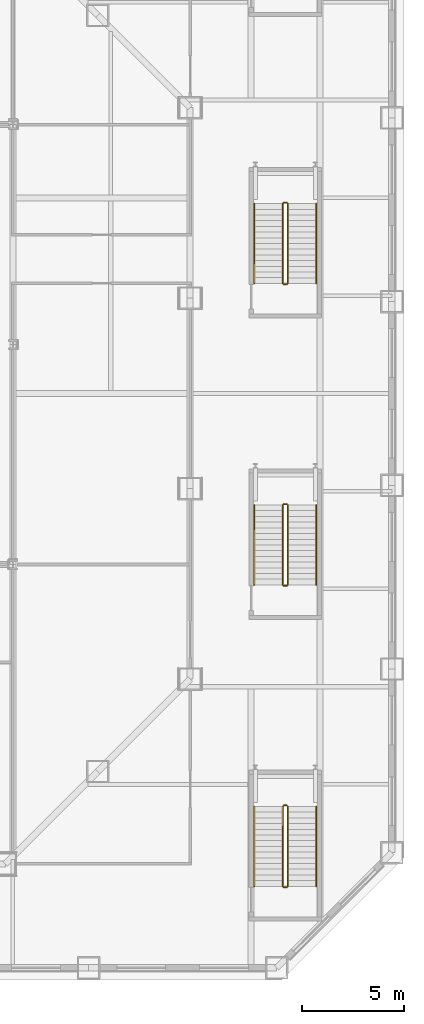
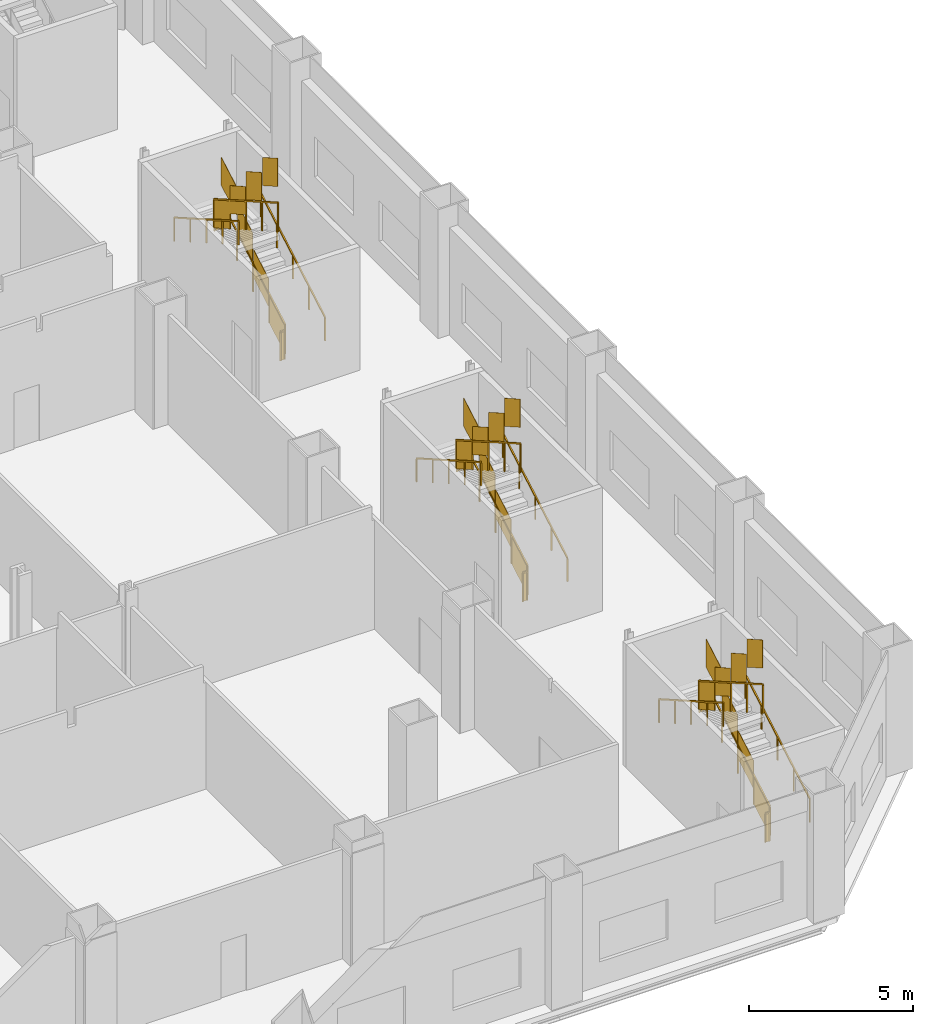
# One storey, part 25 of 26: 18 railings.
"""IFC4 building model written with IfcOpenShell, lengths in metres."""

import ifcopenshell
import ifcopenshell.guid

model = None  # the IFC model being written
_history = None  # IfcOwnerHistory: only IFC2X3 demands one
_inside = {}  # id of a spatial element -> (the spatial element, [elements in it])
_under = {}  # id of a project, library or spatial element -> (it, [spatial elements below it])
_declared = {}  # id of a project -> (the project, [libraries it declares])
_typed = {}  # id of a type object -> (the type object, [elements of that type])
_made_of = {}  # id of a material, layer set ... -> (it, [elements and type objects made of it])


def new_model(schema):
    """Start an empty IFC model of exactly this schema.

    Asked for "IFC4X3", IfcOpenShell would pick the latest addendum, in which some entities
    have other attributes; the version numbers below select the first issue.
    IFC2X3 requires an IfcOwnerHistory on every rooted entity: one is made here for all.
    """
    global model, _history
    if schema == "IFC4X3":
        model = ifcopenshell.file(schema_version=(4, 3, 0, 0))
    else:
        model = ifcopenshell.file(schema=schema)
    _inside.clear()
    _under.clear()
    _declared.clear()
    _typed.clear()
    _made_of.clear()
    _history = None
    if model.schema == "IFC2X3":
        org = make("IfcOrganization", Name="unknown")
        user = make(
            "IfcPersonAndOrganization",
            ThePerson=make("IfcPerson", FamilyName="unknown"),
            TheOrganization=org,
        )
        app = make(
            "IfcApplication",
            ApplicationDeveloper=org,
            Version="unknown",
            ApplicationFullName="unknown",
            ApplicationIdentifier="unknown",
        )
        _history = make(
            "IfcOwnerHistory",
            OwningUser=user,
            OwningApplication=app,
            ChangeAction="ADDED",
            CreationDate=0,
        )
    return model


def make(cls, **values):
    """One entity of the class cls with the attributes given. An attribute that is None is left unset."""
    return model.create_entity(
        cls, **{name: value for name, value in values.items() if value is not None}
    )


def rooted(cls, **values):
    """An entity with a GlobalId (a new one), such as an element, a storey or a relation."""
    return make(cls, GlobalId=ifcopenshell.guid.new(), OwnerHistory=_history, **values)


def si_unit(unit_type, name, prefix=None):
    """IfcSIUnit, for example si_unit("LENGTHUNIT", "METRE", prefix="MILLI")."""
    return make("IfcSIUnit", UnitType=unit_type, Prefix=prefix, Name=name)


def assignment(units):
    """IfcUnitAssignment: the units of a project."""
    return None if units is None else make("IfcUnitAssignment", Units=units)


def point(xyz):
    """IfcCartesianPoint."""
    return None if xyz is None else make("IfcCartesianPoint", Coordinates=xyz)


def direction(xyz):
    """IfcDirection."""
    return None if xyz is None else make("IfcDirection", DirectionRatios=xyz)


def frame(location, z_axis=None, x_axis=None):
    """IfcAxis2Placement3D, a coordinate frame: its origin and axes. An axis left out is left unset."""
    return make(
        "IfcAxis2Placement3D",
        Location=point(location),
        Axis=direction(z_axis),
        RefDirection=direction(x_axis),
    )


def frame_2d(location, x_axis=None):
    """IfcAxis2Placement2D, a coordinate frame in the plane: its origin and x axis."""
    return make(
        "IfcAxis2Placement2D", Location=point(location), RefDirection=direction(x_axis)
    )


def origin():
    """The frame at (0, 0, 0) with its axes left unset."""
    return frame((0.0, 0.0, 0.0))


def origin_2d():
    """The frame at (0, 0) in the plane with its x axis left unset."""
    return frame_2d((0.0, 0.0))


def place(relative_to, where):
    """IfcLocalPlacement: puts the frame where relative to a parent placement (None: the world)."""
    return make(
        "IfcLocalPlacement", PlacementRelTo=relative_to, RelativePlacement=where
    )


def context(
    kind, dimensions, precision=None, world=None, true_north=None, identifier=None
):
    """IfcGeometricRepresentationContext, for example the 3D "Model" context."""
    return make(
        "IfcGeometricRepresentationContext",
        ContextIdentifier=identifier,
        ContextType=kind,
        CoordinateSpaceDimension=dimensions,
        Precision=precision,
        WorldCoordinateSystem=world,
        TrueNorth=true_north,
    )


def subcontext(parent, identifier, kind, view, scale=None):
    """IfcGeometricRepresentationSubContext, for example "Body" below "Model"."""
    return make(
        "IfcGeometricRepresentationSubContext",
        ContextIdentifier=identifier,
        ContextType=kind,
        ParentContext=parent,
        TargetScale=scale,
        TargetView=view,
    )


def project(units=None, contexts=None):
    """IfcProject with its units and contexts."""
    return rooted(
        "IfcProject",
        Name="project",
        RepresentationContexts=contexts,
        UnitsInContext=assignment(units),
    )


def spatial(cls, under=None, at=None, **own):
    """A site, building, storey or space (cls), placed at a placement, below another one or the project."""
    s = rooted(cls, ObjectPlacement=at, **own)
    if under is not None:
        _under.setdefault(under.id(), (under, []))[1].append(s)
    return s


def polyline(points):
    """IfcPolyline through the points."""
    return make("IfcPolyline", Points=[point(p) for p in points])


def profile(cls, at=None, kind="AREA", **sizes):
    """A parametric profile (cls). Its sizes go by their IFC names, for example OverallWidth=200.0."""
    return make(cls, ProfileType=kind, Position=at, **sizes)


def rectangle(**sizes):
    """IfcRectangleProfileDef."""
    return profile("IfcRectangleProfileDef", **sizes)


def outline(outer, holes=None, kind="AREA"):
    """IfcArbitraryClosedProfileDef: a profile drawn as a closed curve; with holes, ...WithVoids."""
    if holes is None:
        return make("IfcArbitraryClosedProfileDef", ProfileType=kind, OuterCurve=outer)
    return make(
        "IfcArbitraryProfileDefWithVoids",
        ProfileType=kind,
        OuterCurve=outer,
        InnerCurves=holes,
    )


def extrude(swept, where, along, depth):
    """IfcExtrudedAreaSolid: the profile swept, set in the frame where, extruded along a direction by depth."""
    return make(
        "IfcExtrudedAreaSolid",
        SweptArea=swept,
        Position=where,
        ExtrudedDirection=direction(along),
        Depth=depth,
    )


def shape(context_of_items, identifier, shape_type, items):
    """IfcShapeRepresentation: the items that make up one representation, for example the "Body"."""
    return make(
        "IfcShapeRepresentation",
        ContextOfItems=context_of_items,
        RepresentationIdentifier=identifier,
        RepresentationType=shape_type,
        Items=items,
    )


def material(Name=None, Category=None):
    """IfcMaterial."""
    return make("IfcMaterial", Name=Name, Category=Category)


def made_of(thing, what):
    """Note that an element or type object is made of a material, layer set ...; save() writes the relation."""
    if what is not None:
        _made_of.setdefault(what.id(), (what, []))[1].append(thing)
    return thing


def type_object(cls, material=None, **own):
    """A type object (cls), such as IfcWallType, which elements share."""
    return made_of(rooted(cls, **own), material)


def element(
    cls,
    number,
    at=None,
    inside=None,
    cuts=None,
    type_object=None,
    material=None,
    context=None,
    identifier="Body",
    shape_type=None,
    held_by="IfcProductDefinitionShape",
    body=None,
    shapes=None,
    **own,
):
    """One element of the class cls, such as IfcWall. Its Tag is "e" and its number.

    at: its placement. inside: the storey or other place that contains it. cuts: it is an
    opening in that element (IfcRelVoidsElement). A single representation is given by context,
    identifier, shape_type and body (its items); several are given by shapes. held_by: the class
    of the entity that holds the representations. save() writes the other relations.
    """
    e = rooted(cls, Tag="e%d" % number, ObjectPlacement=at, **own)
    if body is not None:
        shapes = [shape(context, identifier, shape_type, body)]
    if shapes is not None:
        e.Representation = make(held_by, Representations=shapes)
    if inside is not None:
        _inside.setdefault(inside.id(), (inside, []))[1].append(e)
    if cuts is not None:
        rooted(
            "IfcRelVoidsElement", RelatingBuildingElement=cuts, RelatedOpeningElement=e
        )
    if type_object is not None:
        _typed.setdefault(type_object.id(), (type_object, []))[1].append(e)
    return made_of(e, material)


def aggregate(whole, parts):
    """IfcRelAggregates: a whole, such as a stair, and the parts it consists of."""
    return rooted("IfcRelAggregates", RelatingObject=whole, RelatedObjects=parts)


def save(model, path):
    """Write the relations noted so far, then the file.

    IfcRelAggregates (storeys below a building ...), IfcRelContainedInSpatialStructure (elements
    in a storey), IfcRelDefinesByType, IfcRelAssociatesMaterial and IfcRelDeclares: one each for
    every whole, place, type object, material and project.
    """
    for whole, parts in _under.values():
        aggregate(whole, parts)
    for where, things in _inside.values():
        rooted(
            "IfcRelContainedInSpatialStructure",
            RelatedElements=things,
            RelatingStructure=where,
        )
    for kind, things in _typed.values():
        rooted("IfcRelDefinesByType", RelatedObjects=things, RelatingType=kind)
    for what, things in _made_of.values():
        rooted("IfcRelAssociatesMaterial", RelatedObjects=things, RelatingMaterial=what)
    for by, libraries in _declared.values():
        rooted("IfcRelDeclares", RelatingContext=by, RelatedDefinitions=libraries)
    model.write(path)


model = new_model("IFC4")

# Units and contexts
model_context = context("Model", 3, precision=1e-05, world=origin(), true_north=direction((0.0, 1.0)))
body_context = subcontext(model_context, "Body", "Model", "MODEL_VIEW")
ifc_project = project(units=[si_unit("LENGTHUNIT", "METRE"), si_unit("AREAUNIT", "SQUARE_METRE"), si_unit("VOLUMEUNIT", "CUBIC_METRE"), si_unit("PLANEANGLEUNIT", "RADIAN"), si_unit("MASSUNIT", "GRAM", prefix="KILO")], contexts=[model_context])

# Site, building, storey
site_placement = place(None, origin())
site = spatial("IfcSite", under=ifc_project, at=site_placement, CompositionType="ELEMENT")
building_placement = place(site_placement, origin())
building = spatial("IfcBuilding", under=site, at=building_placement, Name="Cairn Pilgrim Tower", CompositionType="ELEMENT")
storey_placement = place(building_placement, frame((0.0, 0.0, 21.0)))
storey = spatial("IfcBuildingStorey", under=building, at=storey_placement, Name="L03", CompositionType="ELEMENT", Elevation=21.0)

# Railings
ifc_material = material(Name="Painted steel", Category="steel")
railing_type_1 = type_object("IfcRailingType", Name="PODIUM STAIR GUARD 1100", PredefinedType="GUARDRAIL", material=ifc_material)
railing_1_placement = place(storey_placement, frame((32.699951171875, -24.199951171875, 0.159912109375)))
element("IfcRailing", 1, at=railing_1_placement, inside=storey, type_object=railing_type_1, Name="L03 ST-ES1 stair guard 1", PredefinedType="GUARDRAIL", context=body_context, shape_type="SweptSolid", body=[
    extrude(rectangle(XDim=0.048095703125, YDim=0.048095703125, at=origin_2d()), frame((0.0, 0.0, 1.076171875), z_axis=(0.0, 0.868239814368, 0.496144761885), x_axis=(-1.0, 0.0, 0.0)), (0.0, 0.0, 1.0), 4.514892578125),
    extrude(rectangle(XDim=0.0419921875, YDim=0.0419921875, at=origin_2d()), origin(), (0.0, 0.0, 1.0), 1.052001953125),
    extrude(rectangle(XDim=0.0419921875, YDim=0.0419921875, at=origin_2d()), frame((0.0, 0.97998046875, 0.56005859375)), (0.0, 0.0, 1.0), 1.052001953125),
    extrude(rectangle(XDim=0.0419921875, YDim=0.0419921875, at=origin_2d()), frame((0.0, 1.9599609375, 1.1201171875)), (0.0, 0.0, 1.0), 1.052001953125),
    extrude(rectangle(XDim=0.0419921875, YDim=0.0419921875, at=origin_2d()), frame((0.0, 2.93994140625, 1.679931640625)), (0.0, 0.0, 1.0), 1.052001953125),
    extrude(rectangle(XDim=0.0419921875, YDim=0.0419921875, at=origin_2d()), frame((0.0, 3.919921875, 2.239990234375)), (0.0, 0.0, 1.0), 1.052001953125),
    extrude(outline(polyline([(0.02099609375, 0.011962890625), (0.958984375, 0.548095703125), (0.958984375, 1.60009765625), (0.02099609375, 1.06396484375), (0.02099609375, 0.011962890625)])), frame((-0.005859375, 0.0, 0.0), z_axis=(1.0, 0.0, 0.0), x_axis=(0.0, 1.0, 0.0)), (0.0, 0.0, 1.0), 0.011962890625),
    extrude(outline(polyline([(0.02099609375, 0.572021484375), (0.958984375, 1.10791015625), (0.958984375, 2.159912109375), (0.02099609375, 1.6240234375), (0.02099609375, 0.572021484375)])), frame((-0.005859375, 0.97998046875, 0.56005859375), z_axis=(1.0, 0.0, 0.0), x_axis=(0.0, 1.0, 0.0)), (0.0, 0.0, 1.0), 0.011962890625),
    extrude(outline(polyline([(0.02099609375, 1.132080078125), (0.958984375, 1.66796875), (0.958984375, 2.719970703125), (0.02099609375, 2.18408203125), (0.02099609375, 1.132080078125)])), frame((-0.005859375, 1.9599609375, 1.1201171875), z_axis=(1.0, 0.0, 0.0), x_axis=(0.0, 1.0, 0.0)), (0.0, 0.0, 1.0), 0.011962890625),
    extrude(outline(polyline([(0.02099609375, 1.69189453125), (0.958984375, 2.22802734375), (0.958984375, 3.280029296875), (0.02099609375, 2.743896484375), (0.02099609375, 1.69189453125)])), frame((-0.005859375, 2.93994140625, 1.679931640625), z_axis=(1.0, 0.0, 0.0), x_axis=(0.0, 1.0, 0.0)), (0.0, 0.0, 1.0), 0.011962890625),
])
railing_2_placement = place(storey_placement, frame((32.64990234375, -20.22998046875, 2.39990234375)))
element("IfcRailing", 2, at=railing_2_placement, inside=storey, type_object=railing_type_1, Name="L03 ST-ES1 stair guard 2", PredefinedType="GUARDRAIL", context=body_context, shape_type="SweptSolid", body=[
    extrude(rectangle(XDim=0.048095703125, YDim=0.048095703125, at=origin_2d()), frame((0.0, 0.0, 1.076171875), z_axis=(-1.0, 0.0, 0.0), x_axis=(0.0, -1.0, 0.0)), (0.0, 0.0, 1.0), 0.14990234375),
    extrude(rectangle(XDim=0.0419921875, YDim=0.0419921875, at=origin_2d()), origin(), (0.0, 0.0, 1.0), 1.052001953125),
    extrude(rectangle(XDim=0.0419921875, YDim=0.0419921875, at=origin_2d()), frame((-0.14990234375, 0.0, 0.0)), (0.0, 0.0, 1.0), 1.052001953125),
    extrude(outline(polyline([(0.02099609375, 0.0), (0.12890625, 0.0), (0.12890625, 1.052001953125), (0.02099609375, 1.052001953125), (0.02099609375, 0.0)])), frame((0.0, -0.005859375, 0.0), z_axis=(0.0, 1.0, 0.0), x_axis=(-1.0, 0.0, 0.0)), (0.0, 0.0, 1.0), 0.011962890625),
])
railing_3_placement = place(storey_placement, frame((32.449951171875, -20.280029296875, 2.56005859375)))
element("IfcRailing", 3, at=railing_3_placement, inside=storey, type_object=railing_type_1, Name="L03 ST-ES1 stair guard 3", PredefinedType="GUARDRAIL", context=body_context, shape_type="SweptSolid", body=[
    extrude(rectangle(XDim=0.048095703125, YDim=0.048095703125, at=origin_2d()), frame((0.0, 0.0, 1.076171875), z_axis=(0.0, -0.868239814368, 0.496144761885), x_axis=(1.0, 0.0, 0.0)), (0.0, 0.0, 1.0), 4.514892578125),
    extrude(rectangle(XDim=0.0419921875, YDim=0.0419921875, at=origin_2d()), origin(), (0.0, 0.0, 1.0), 1.052001953125),
    extrude(rectangle(XDim=0.0419921875, YDim=0.0419921875, at=origin_2d()), frame((0.0, -0.97998046875, 0.56005859375)), (0.0, 0.0, 1.0), 1.052001953125),
    extrude(rectangle(XDim=0.0419921875, YDim=0.0419921875, at=origin_2d()), frame((0.0, -1.9599609375, 1.1201171875)), (0.0, 0.0, 1.0), 1.052001953125),
    extrude(rectangle(XDim=0.0419921875, YDim=0.0419921875, at=origin_2d()), frame((0.0, -2.93994140625, 1.679931640625)), (0.0, 0.0, 1.0), 1.052001953125),
    extrude(rectangle(XDim=0.0419921875, YDim=0.0419921875, at=origin_2d()), frame((0.0, -3.919921875, 2.239990234375)), (0.0, 0.0, 1.0), 1.052001953125),
    extrude(outline(polyline([(0.02099609375, 0.011962890625), (0.958984375, 0.548095703125), (0.958984375, 1.60009765625), (0.02099609375, 1.06396484375), (0.02099609375, 0.011962890625)])), frame((0.005859375, 0.0, 0.0), z_axis=(-1.0, 0.0, 0.0), x_axis=(0.0, -1.0, 0.0)), (0.0, 0.0, 1.0), 0.011962890625),
    extrude(outline(polyline([(0.02099609375, 0.572021484375), (0.958984375, 1.10791015625), (0.958984375, 2.159912109375), (0.02099609375, 1.6240234375), (0.02099609375, 0.572021484375)])), frame((0.005859375, -0.97998046875, 0.56005859375), z_axis=(-1.0, 0.0, 0.0), x_axis=(0.0, -1.0, 0.0)), (0.0, 0.0, 1.0), 0.011962890625),
    extrude(outline(polyline([(0.02099609375, 1.132080078125), (0.958984375, 1.66796875), (0.958984375, 2.719970703125), (0.02099609375, 2.18408203125), (0.02099609375, 1.132080078125)])), frame((0.005859375, -1.9599609375, 1.1201171875), z_axis=(-1.0, 0.0, 0.0), x_axis=(0.0, -1.0, 0.0)), (0.0, 0.0, 1.0), 0.011962890625),
    extrude(outline(polyline([(0.02099609375, 1.69189453125), (0.958984375, 2.22802734375), (0.958984375, 3.280029296875), (0.02099609375, 2.743896484375), (0.02099609375, 1.69189453125)])), frame((0.005859375, -2.93994140625, 1.679931640625), z_axis=(-1.0, 0.0, 0.0), x_axis=(0.0, -1.0, 0.0)), (0.0, 0.0, 1.0), 0.011962890625),
])
railing_4_placement = place(storey_placement, frame((32.64990234375, -24.25, 0.0)))
element("IfcRailing", 4, at=railing_4_placement, inside=storey, type_object=railing_type_1, Name="L03 ST-ES1 stair guard 4", PredefinedType="GUARDRAIL", context=body_context, shape_type="SweptSolid", body=[
    extrude(rectangle(XDim=0.048095703125, YDim=0.048095703125, at=origin_2d()), frame((0.0, 0.0, 1.076171875), z_axis=(-1.0, 0.0, 0.0), x_axis=(0.0, -1.0, 0.0)), (0.0, 0.0, 1.0), 0.14990234375),
    extrude(rectangle(XDim=0.0419921875, YDim=0.0419921875, at=origin_2d()), origin(), (0.0, 0.0, 1.0), 1.052001953125),
    extrude(rectangle(XDim=0.0419921875, YDim=0.0419921875, at=origin_2d()), frame((-0.14990234375, 0.0, 0.0)), (0.0, 0.0, 1.0), 1.052001953125),
    extrude(outline(polyline([(0.02099609375, 0.0), (0.12890625, 0.0), (0.12890625, 1.052001953125), (0.02099609375, 1.052001953125), (0.02099609375, 0.0)])), frame((0.0, -0.005859375, 0.0), z_axis=(0.0, 1.0, 0.0), x_axis=(-1.0, 0.0, 0.0)), (0.0, 0.0, 1.0), 0.011962890625),
])
railing_5_placement = place(storey_placement, frame((32.699951171875, -9.39990234375, 0.159912109375)))
element("IfcRailing", 5, at=railing_5_placement, inside=storey, type_object=railing_type_1, Name="L03 ST-ES2 stair guard 1", PredefinedType="GUARDRAIL", context=body_context, shape_type="SweptSolid", body=[
    extrude(rectangle(XDim=0.048095703125, YDim=0.048095703125, at=origin_2d()), frame((0.0, 0.0, 1.076171875), z_axis=(0.0, 0.868239814368, 0.496144761885), x_axis=(-1.0, 0.0, 0.0)), (0.0, 0.0, 1.0), 4.514892578125),
    extrude(rectangle(XDim=0.0419921875, YDim=0.0419921875, at=origin_2d()), origin(), (0.0, 0.0, 1.0), 1.052001953125),
    extrude(rectangle(XDim=0.0419921875, YDim=0.0419921875, at=origin_2d()), frame((0.0, 0.97998046875, 0.56005859375)), (0.0, 0.0, 1.0), 1.052001953125),
    extrude(rectangle(XDim=0.0419921875, YDim=0.0419921875, at=origin_2d()), frame((0.0, 1.9599609375, 1.1201171875)), (0.0, 0.0, 1.0), 1.052001953125),
    extrude(rectangle(XDim=0.0419921875, YDim=0.0419921875, at=origin_2d()), frame((0.0, 2.93994140625, 1.679931640625)), (0.0, 0.0, 1.0), 1.052001953125),
    extrude(rectangle(XDim=0.0419921875, YDim=0.0419921875, at=origin_2d()), frame((0.0, 3.919921875, 2.239990234375)), (0.0, 0.0, 1.0), 1.052001953125),
    extrude(outline(polyline([(0.02099609375, 0.011962890625), (0.958984375, 0.548095703125), (0.958984375, 1.60009765625), (0.02099609375, 1.06396484375), (0.02099609375, 0.011962890625)])), frame((-0.005859375, 0.0, 0.0), z_axis=(1.0, 0.0, 0.0), x_axis=(0.0, 1.0, 0.0)), (0.0, 0.0, 1.0), 0.011962890625),
    extrude(outline(polyline([(0.02099609375, 0.572021484375), (0.958984375, 1.10791015625), (0.958984375, 2.159912109375), (0.02099609375, 1.6240234375), (0.02099609375, 0.572021484375)])), frame((-0.005859375, 0.97998046875, 0.56005859375), z_axis=(1.0, 0.0, 0.0), x_axis=(0.0, 1.0, 0.0)), (0.0, 0.0, 1.0), 0.011962890625),
    extrude(outline(polyline([(0.02099609375, 1.132080078125), (0.958984375, 1.66796875), (0.958984375, 2.719970703125), (0.02099609375, 2.18408203125), (0.02099609375, 1.132080078125)])), frame((-0.005859375, 1.9599609375, 1.1201171875), z_axis=(1.0, 0.0, 0.0), x_axis=(0.0, 1.0, 0.0)), (0.0, 0.0, 1.0), 0.011962890625),
    extrude(outline(polyline([(0.02099609375, 1.69189453125), (0.958984375, 2.22802734375), (0.958984375, 3.280029296875), (0.02099609375, 2.743896484375), (0.02099609375, 1.69189453125)])), frame((-0.005859375, 2.93994140625, 1.679931640625), z_axis=(1.0, 0.0, 0.0), x_axis=(0.0, 1.0, 0.0)), (0.0, 0.0, 1.0), 0.011962890625),
])
railing_6_placement = place(storey_placement, frame((32.64990234375, -5.429931640625, 2.39990234375)))
element("IfcRailing", 6, at=railing_6_placement, inside=storey, type_object=railing_type_1, Name="L03 ST-ES2 stair guard 2", PredefinedType="GUARDRAIL", context=body_context, shape_type="SweptSolid", body=[
    extrude(rectangle(XDim=0.048095703125, YDim=0.048095703125, at=origin_2d()), frame((0.0, 0.0, 1.076171875), z_axis=(-1.0, 0.0, 0.0), x_axis=(0.0, -1.0, 0.0)), (0.0, 0.0, 1.0), 0.14990234375),
    extrude(rectangle(XDim=0.0419921875, YDim=0.0419921875, at=origin_2d()), origin(), (0.0, 0.0, 1.0), 1.052001953125),
    extrude(rectangle(XDim=0.0419921875, YDim=0.0419921875, at=origin_2d()), frame((-0.14990234375, 0.0, 0.0)), (0.0, 0.0, 1.0), 1.052001953125),
    extrude(outline(polyline([(0.02099609375, 0.0), (0.12890625, 0.0), (0.12890625, 1.052001953125), (0.02099609375, 1.052001953125), (0.02099609375, 0.0)])), frame((0.0, -0.005859375, 0.0), z_axis=(0.0, 1.0, 0.0), x_axis=(-1.0, 0.0, 0.0)), (0.0, 0.0, 1.0), 0.011962890625),
])
railing_7_placement = place(storey_placement, frame((32.449951171875, -5.47998046875, 2.56005859375)))
element("IfcRailing", 7, at=railing_7_placement, inside=storey, type_object=railing_type_1, Name="L03 ST-ES2 stair guard 3", PredefinedType="GUARDRAIL", context=body_context, shape_type="SweptSolid", body=[
    extrude(rectangle(XDim=0.048095703125, YDim=0.048095703125, at=origin_2d()), frame((0.0, 0.0, 1.076171875), z_axis=(0.0, -0.868239814368, 0.496144761885), x_axis=(1.0, 0.0, 0.0)), (0.0, 0.0, 1.0), 4.514892578125),
    extrude(rectangle(XDim=0.0419921875, YDim=0.0419921875, at=origin_2d()), origin(), (0.0, 0.0, 1.0), 1.052001953125),
    extrude(rectangle(XDim=0.0419921875, YDim=0.0419921875, at=origin_2d()), frame((0.0, -0.97998046875, 0.56005859375)), (0.0, 0.0, 1.0), 1.052001953125),
    extrude(rectangle(XDim=0.0419921875, YDim=0.0419921875, at=origin_2d()), frame((0.0, -1.9599609375, 1.1201171875)), (0.0, 0.0, 1.0), 1.052001953125),
    extrude(rectangle(XDim=0.0419921875, YDim=0.0419921875, at=origin_2d()), frame((0.0, -2.93994140625, 1.679931640625)), (0.0, 0.0, 1.0), 1.052001953125),
    extrude(rectangle(XDim=0.0419921875, YDim=0.0419921875, at=origin_2d()), frame((0.0, -3.919921875, 2.239990234375)), (0.0, 0.0, 1.0), 1.052001953125),
    extrude(outline(polyline([(0.02099609375, 0.011962890625), (0.958984375, 0.548095703125), (0.958984375, 1.60009765625), (0.02099609375, 1.06396484375), (0.02099609375, 0.011962890625)])), frame((0.005859375, 0.0, 0.0), z_axis=(-1.0, 0.0, 0.0), x_axis=(0.0, -1.0, 0.0)), (0.0, 0.0, 1.0), 0.011962890625),
    extrude(outline(polyline([(0.02099609375, 0.572021484375), (0.958984375, 1.10791015625), (0.958984375, 2.159912109375), (0.02099609375, 1.6240234375), (0.02099609375, 0.572021484375)])), frame((0.005859375, -0.97998046875, 0.56005859375), z_axis=(-1.0, 0.0, 0.0), x_axis=(0.0, -1.0, 0.0)), (0.0, 0.0, 1.0), 0.011962890625),
    extrude(outline(polyline([(0.02099609375, 1.132080078125), (0.958984375, 1.66796875), (0.958984375, 2.719970703125), (0.02099609375, 2.18408203125), (0.02099609375, 1.132080078125)])), frame((0.005859375, -1.9599609375, 1.1201171875), z_axis=(-1.0, 0.0, 0.0), x_axis=(0.0, -1.0, 0.0)), (0.0, 0.0, 1.0), 0.011962890625),
    extrude(outline(polyline([(0.02099609375, 1.69189453125), (0.958984375, 2.22802734375), (0.958984375, 3.280029296875), (0.02099609375, 2.743896484375), (0.02099609375, 1.69189453125)])), frame((0.005859375, -2.93994140625, 1.679931640625), z_axis=(-1.0, 0.0, 0.0), x_axis=(0.0, -1.0, 0.0)), (0.0, 0.0, 1.0), 0.011962890625),
])
railing_8_placement = place(storey_placement, frame((32.64990234375, -9.449951171875, 0.0)))
element("IfcRailing", 8, at=railing_8_placement, inside=storey, type_object=railing_type_1, Name="L03 ST-ES2 stair guard 4", PredefinedType="GUARDRAIL", context=body_context, shape_type="SweptSolid", body=[
    extrude(rectangle(XDim=0.048095703125, YDim=0.048095703125, at=origin_2d()), frame((0.0, 0.0, 1.076171875), z_axis=(-1.0, 0.0, 0.0), x_axis=(0.0, -1.0, 0.0)), (0.0, 0.0, 1.0), 0.14990234375),
    extrude(rectangle(XDim=0.0419921875, YDim=0.0419921875, at=origin_2d()), origin(), (0.0, 0.0, 1.0), 1.052001953125),
    extrude(rectangle(XDim=0.0419921875, YDim=0.0419921875, at=origin_2d()), frame((-0.14990234375, 0.0, 0.0)), (0.0, 0.0, 1.0), 1.052001953125),
    extrude(outline(polyline([(0.02099609375, 0.0), (0.12890625, 0.0), (0.12890625, 1.052001953125), (0.02099609375, 1.052001953125), (0.02099609375, 0.0)])), frame((0.0, -0.005859375, 0.0), z_axis=(0.0, 1.0, 0.0), x_axis=(-1.0, 0.0, 0.0)), (0.0, 0.0, 1.0), 0.011962890625),
])
railing_9_placement = place(storey_placement, frame((32.699951171875, 5.39990234375, 0.159912109375)))
element("IfcRailing", 9, at=railing_9_placement, inside=storey, type_object=railing_type_1, Name="L03 ST-ES3 stair guard 1", PredefinedType="GUARDRAIL", context=body_context, shape_type="SweptSolid", body=[
    extrude(rectangle(XDim=0.048095703125, YDim=0.048095703125, at=origin_2d()), frame((0.0, 0.0, 1.076171875), z_axis=(0.0, 0.86825312469, 0.496121468458), x_axis=(-1.0, 0.0, 0.0)), (0.0, 0.0, 1.0), 4.514892578125),
    extrude(rectangle(XDim=0.0419921875, YDim=0.0419921875, at=origin_2d()), origin(), (0.0, 0.0, 1.0), 1.052001953125),
    extrude(rectangle(XDim=0.0419921875, YDim=0.0419921875, at=origin_2d()), frame((0.0, 0.97998046875, 0.56005859375)), (0.0, 0.0, 1.0), 1.052001953125),
    extrude(rectangle(XDim=0.0419921875, YDim=0.0419921875, at=origin_2d()), frame((0.0, 1.9599609375, 1.1201171875)), (0.0, 0.0, 1.0), 1.052001953125),
    extrude(rectangle(XDim=0.0419921875, YDim=0.0419921875, at=origin_2d()), frame((0.0, 2.940185546875, 1.679931640625)), (0.0, 0.0, 1.0), 1.052001953125),
    extrude(rectangle(XDim=0.0419921875, YDim=0.0419921875, at=origin_2d()), frame((0.0, 3.920166015625, 2.239990234375)), (0.0, 0.0, 1.0), 1.052001953125),
    extrude(outline(polyline([(0.02099609375, 0.011962890625), (0.958984375, 0.548095703125), (0.958984375, 1.60009765625), (0.02099609375, 1.06396484375), (0.02099609375, 0.011962890625)])), frame((-0.005859375, 0.0, 0.0), z_axis=(1.0, 0.0, 0.0), x_axis=(0.0, 1.0, 0.0)), (0.0, 0.0, 1.0), 0.011962890625),
    extrude(outline(polyline([(0.02099609375, 0.572021484375), (0.958984375, 1.10791015625), (0.958984375, 2.159912109375), (0.02099609375, 1.6240234375), (0.02099609375, 0.572021484375)])), frame((-0.005859375, 0.97998046875, 0.56005859375), z_axis=(1.0, 0.0, 0.0), x_axis=(0.0, 1.0, 0.0)), (0.0, 0.0, 1.0), 0.011962890625),
    extrude(outline(polyline([(0.02099609375, 1.132080078125), (0.958984375, 1.66796875), (0.958984375, 2.719970703125), (0.02099609375, 2.18408203125), (0.02099609375, 1.132080078125)])), frame((-0.005859375, 1.9599609375, 1.1201171875), z_axis=(1.0, 0.0, 0.0), x_axis=(0.0, 1.0, 0.0)), (0.0, 0.0, 1.0), 0.011962890625),
    extrude(outline(polyline([(0.02099609375, 1.69189453125), (0.958984375, 2.22802734375), (0.958984375, 3.280029296875), (0.02099609375, 2.743896484375), (0.02099609375, 1.69189453125)])), frame((-0.005859375, 2.940185546875, 1.679931640625), z_axis=(1.0, 0.0, 0.0), x_axis=(0.0, 1.0, 0.0)), (0.0, 0.0, 1.0), 0.011962890625),
])
railing_10_placement = place(storey_placement, frame((32.64990234375, 9.3701171875, 2.39990234375)))
element("IfcRailing", 10, at=railing_10_placement, inside=storey, type_object=railing_type_1, Name="L03 ST-ES3 stair guard 2", PredefinedType="GUARDRAIL", context=body_context, shape_type="SweptSolid", body=[
    extrude(rectangle(XDim=0.048095703125, YDim=0.048095703125, at=origin_2d()), frame((0.0, 0.0, 1.076171875), z_axis=(-1.0, 0.0, 0.0), x_axis=(0.0, -1.0, 0.0)), (0.0, 0.0, 1.0), 0.14990234375),
    extrude(rectangle(XDim=0.0419921875, YDim=0.0419921875, at=origin_2d()), origin(), (0.0, 0.0, 1.0), 1.052001953125),
    extrude(rectangle(XDim=0.0419921875, YDim=0.0419921875, at=origin_2d()), frame((-0.14990234375, 0.0, 0.0)), (0.0, 0.0, 1.0), 1.052001953125),
    extrude(outline(polyline([(0.02099609375, 0.0), (0.12890625, 0.0), (0.12890625, 1.052001953125), (0.02099609375, 1.052001953125), (0.02099609375, 0.0)])), frame((0.0, -0.005859375, 0.0), z_axis=(0.0, 1.0, 0.0), x_axis=(-1.0, 0.0, 0.0)), (0.0, 0.0, 1.0), 0.011962890625),
])
railing_11_placement = place(storey_placement, frame((32.449951171875, 9.320068359375, 2.56005859375)))
element("IfcRailing", 11, at=railing_11_placement, inside=storey, type_object=railing_type_1, Name="L03 ST-ES3 stair guard 3", PredefinedType="GUARDRAIL", context=body_context, shape_type="SweptSolid", body=[
    extrude(rectangle(XDim=0.048095703125, YDim=0.048095703125, at=origin_2d()), frame((0.0, 0.0, 1.076171875), z_axis=(0.0, -0.86825312469, 0.496121468458), x_axis=(1.0, 0.0, 0.0)), (0.0, 0.0, 1.0), 4.514892578125),
    extrude(rectangle(XDim=0.0419921875, YDim=0.0419921875, at=origin_2d()), origin(), (0.0, 0.0, 1.0), 1.052001953125),
    extrude(rectangle(XDim=0.0419921875, YDim=0.0419921875, at=origin_2d()), frame((0.0, -0.97998046875, 0.56005859375)), (0.0, 0.0, 1.0), 1.052001953125),
    extrude(rectangle(XDim=0.0419921875, YDim=0.0419921875, at=origin_2d()), frame((0.0, -1.9599609375, 1.1201171875)), (0.0, 0.0, 1.0), 1.052001953125),
    extrude(rectangle(XDim=0.0419921875, YDim=0.0419921875, at=origin_2d()), frame((0.0, -2.940185546875, 1.679931640625)), (0.0, 0.0, 1.0), 1.052001953125),
    extrude(rectangle(XDim=0.0419921875, YDim=0.0419921875, at=origin_2d()), frame((0.0, -3.920166015625, 2.239990234375)), (0.0, 0.0, 1.0), 1.052001953125),
    extrude(outline(polyline([(0.02099609375, 0.011962890625), (0.958984375, 0.548095703125), (0.958984375, 1.60009765625), (0.02099609375, 1.06396484375), (0.02099609375, 0.011962890625)])), frame((0.005859375, 0.0, 0.0), z_axis=(-1.0, 0.0, 0.0), x_axis=(0.0, -1.0, 0.0)), (0.0, 0.0, 1.0), 0.011962890625),
    extrude(outline(polyline([(0.02099609375, 0.572021484375), (0.958984375, 1.10791015625), (0.958984375, 2.159912109375), (0.02099609375, 1.6240234375), (0.02099609375, 0.572021484375)])), frame((0.005859375, -0.97998046875, 0.56005859375), z_axis=(-1.0, 0.0, 0.0), x_axis=(0.0, -1.0, 0.0)), (0.0, 0.0, 1.0), 0.011962890625),
    extrude(outline(polyline([(0.02099609375, 1.132080078125), (0.958984375, 1.66796875), (0.958984375, 2.719970703125), (0.02099609375, 2.18408203125), (0.02099609375, 1.132080078125)])), frame((0.005859375, -1.9599609375, 1.1201171875), z_axis=(-1.0, 0.0, 0.0), x_axis=(0.0, -1.0, 0.0)), (0.0, 0.0, 1.0), 0.011962890625),
    extrude(outline(polyline([(0.02099609375, 1.69189453125), (0.958984375, 2.22802734375), (0.958984375, 3.280029296875), (0.02099609375, 2.743896484375), (0.02099609375, 1.69189453125)])), frame((0.005859375, -2.940185546875, 1.679931640625), z_axis=(-1.0, 0.0, 0.0), x_axis=(0.0, -1.0, 0.0)), (0.0, 0.0, 1.0), 0.011962890625),
])
railing_12_placement = place(storey_placement, frame((32.64990234375, 5.35009765625, 0.0)))
element("IfcRailing", 12, at=railing_12_placement, inside=storey, type_object=railing_type_1, Name="L03 ST-ES3 stair guard 4", PredefinedType="GUARDRAIL", context=body_context, shape_type="SweptSolid", body=[
    extrude(rectangle(XDim=0.048095703125, YDim=0.048095703125, at=origin_2d()), frame((0.0, 0.0, 1.076171875), z_axis=(-1.0, 0.0, 0.0), x_axis=(0.0, -1.0, 0.0)), (0.0, 0.0, 1.0), 0.14990234375),
    extrude(rectangle(XDim=0.0419921875, YDim=0.0419921875, at=origin_2d()), origin(), (0.0, 0.0, 1.0), 1.052001953125),
    extrude(rectangle(XDim=0.0419921875, YDim=0.0419921875, at=origin_2d()), frame((-0.14990234375, 0.0, 0.0)), (0.0, 0.0, 1.0), 1.052001953125),
    extrude(outline(polyline([(0.02099609375, 0.0), (0.12890625, 0.0), (0.12890625, 1.052001953125), (0.02099609375, 1.052001953125), (0.02099609375, 0.0)])), frame((0.0, -0.005859375, 0.0), z_axis=(0.0, 1.0, 0.0), x_axis=(-1.0, 0.0, 0.0)), (0.0, 0.0, 1.0), 0.011962890625),
])
railing_type_2 = type_object("IfcRailingType", Name="PODIUM STAIR HANDRAIL 900", PredefinedType="HANDRAIL", material=ifc_material)
railing_13_placement = place(storey_placement, frame((34.10009765625, -24.199951171875, 0.159912109375)))
element("IfcRailing", 13, at=railing_13_placement, inside=storey, type_object=railing_type_2, Name="L03 ST-ES1 stair handrail 1", PredefinedType="HANDRAIL", context=body_context, shape_type="SweptSolid", body=[
    extrude(rectangle(XDim=0.048095703125, YDim=0.048095703125, at=origin_2d()), frame((0.0, 0.0, 0.8759765625), z_axis=(0.0, 0.868239814368, 0.496144761885), x_axis=(-1.0, 0.0, 0.0)), (0.0, 0.0, 1.0), 4.514892578125),
    extrude(rectangle(XDim=0.0419921875, YDim=0.0419921875, at=origin_2d()), origin(), (0.0, 0.0, 1.0), 0.851806640625),
    extrude(rectangle(XDim=0.0419921875, YDim=0.0419921875, at=origin_2d()), frame((0.0, 0.97998046875, 0.56005859375)), (0.0, 0.0, 1.0), 0.851806640625),
    extrude(rectangle(XDim=0.0419921875, YDim=0.0419921875, at=origin_2d()), frame((0.0, 1.9599609375, 1.1201171875)), (0.0, 0.0, 1.0), 0.851806640625),
    extrude(rectangle(XDim=0.0419921875, YDim=0.0419921875, at=origin_2d()), frame((0.0, 2.93994140625, 1.679931640625)), (0.0, 0.0, 1.0), 0.851806640625),
    extrude(rectangle(XDim=0.0419921875, YDim=0.0419921875, at=origin_2d()), frame((0.0, 3.919921875, 2.239990234375)), (0.0, 0.0, 1.0), 0.851806640625),
])
railing_14_placement = place(storey_placement, frame((31.050048828125, -20.280029296875, 2.56005859375)))
element("IfcRailing", 14, at=railing_14_placement, inside=storey, type_object=railing_type_2, Name="L03 ST-ES1 stair handrail 2", PredefinedType="HANDRAIL", context=body_context, shape_type="SweptSolid", body=[
    extrude(rectangle(XDim=0.048095703125, YDim=0.048095703125, at=origin_2d()), frame((0.0, 0.0, 0.8759765625), z_axis=(0.0, -0.868239814368, 0.496144761885), x_axis=(1.0, 0.0, 0.0)), (0.0, 0.0, 1.0), 4.514892578125),
    extrude(rectangle(XDim=0.0419921875, YDim=0.0419921875, at=origin_2d()), origin(), (0.0, 0.0, 1.0), 0.851806640625),
    extrude(rectangle(XDim=0.0419921875, YDim=0.0419921875, at=origin_2d()), frame((0.0, -0.97998046875, 0.56005859375)), (0.0, 0.0, 1.0), 0.851806640625),
    extrude(rectangle(XDim=0.0419921875, YDim=0.0419921875, at=origin_2d()), frame((0.0, -1.9599609375, 1.1201171875)), (0.0, 0.0, 1.0), 0.851806640625),
    extrude(rectangle(XDim=0.0419921875, YDim=0.0419921875, at=origin_2d()), frame((0.0, -2.93994140625, 1.679931640625)), (0.0, 0.0, 1.0), 0.851806640625),
    extrude(rectangle(XDim=0.0419921875, YDim=0.0419921875, at=origin_2d()), frame((0.0, -3.919921875, 2.239990234375)), (0.0, 0.0, 1.0), 0.851806640625),
])
railing_15_placement = place(storey_placement, frame((34.10009765625, -9.39990234375, 0.159912109375)))
element("IfcRailing", 15, at=railing_15_placement, inside=storey, type_object=railing_type_2, Name="L03 ST-ES2 stair handrail 1", PredefinedType="HANDRAIL", context=body_context, shape_type="SweptSolid", body=[
    extrude(rectangle(XDim=0.048095703125, YDim=0.048095703125, at=origin_2d()), frame((0.0, 0.0, 0.8759765625), z_axis=(0.0, 0.868239814368, 0.496144761885), x_axis=(-1.0, 0.0, 0.0)), (0.0, 0.0, 1.0), 4.514892578125),
    extrude(rectangle(XDim=0.0419921875, YDim=0.0419921875, at=origin_2d()), origin(), (0.0, 0.0, 1.0), 0.851806640625),
    extrude(rectangle(XDim=0.0419921875, YDim=0.0419921875, at=origin_2d()), frame((0.0, 0.97998046875, 0.56005859375)), (0.0, 0.0, 1.0), 0.851806640625),
    extrude(rectangle(XDim=0.0419921875, YDim=0.0419921875, at=origin_2d()), frame((0.0, 1.9599609375, 1.1201171875)), (0.0, 0.0, 1.0), 0.851806640625),
    extrude(rectangle(XDim=0.0419921875, YDim=0.0419921875, at=origin_2d()), frame((0.0, 2.93994140625, 1.679931640625)), (0.0, 0.0, 1.0), 0.851806640625),
    extrude(rectangle(XDim=0.0419921875, YDim=0.0419921875, at=origin_2d()), frame((0.0, 3.919921875, 2.239990234375)), (0.0, 0.0, 1.0), 0.851806640625),
])
railing_16_placement = place(storey_placement, frame((31.050048828125, -5.47998046875, 2.56005859375)))
element("IfcRailing", 16, at=railing_16_placement, inside=storey, type_object=railing_type_2, Name="L03 ST-ES2 stair handrail 2", PredefinedType="HANDRAIL", context=body_context, shape_type="SweptSolid", body=[
    extrude(rectangle(XDim=0.048095703125, YDim=0.048095703125, at=origin_2d()), frame((0.0, 0.0, 0.8759765625), z_axis=(0.0, -0.868239814368, 0.496144761885), x_axis=(1.0, 0.0, 0.0)), (0.0, 0.0, 1.0), 4.514892578125),
    extrude(rectangle(XDim=0.0419921875, YDim=0.0419921875, at=origin_2d()), origin(), (0.0, 0.0, 1.0), 0.851806640625),
    extrude(rectangle(XDim=0.0419921875, YDim=0.0419921875, at=origin_2d()), frame((0.0, -0.97998046875, 0.56005859375)), (0.0, 0.0, 1.0), 0.851806640625),
    extrude(rectangle(XDim=0.0419921875, YDim=0.0419921875, at=origin_2d()), frame((0.0, -1.9599609375, 1.1201171875)), (0.0, 0.0, 1.0), 0.851806640625),
    extrude(rectangle(XDim=0.0419921875, YDim=0.0419921875, at=origin_2d()), frame((0.0, -2.93994140625, 1.679931640625)), (0.0, 0.0, 1.0), 0.851806640625),
    extrude(rectangle(XDim=0.0419921875, YDim=0.0419921875, at=origin_2d()), frame((0.0, -3.919921875, 2.239990234375)), (0.0, 0.0, 1.0), 0.851806640625),
])
railing_17_placement = place(storey_placement, frame((34.10009765625, 5.39990234375, 0.159912109375)))
element("IfcRailing", 17, at=railing_17_placement, inside=storey, type_object=railing_type_2, Name="L03 ST-ES3 stair handrail 1", PredefinedType="HANDRAIL", context=body_context, shape_type="SweptSolid", body=[
    extrude(rectangle(XDim=0.048095703125, YDim=0.048095703125, at=origin_2d()), frame((0.0, 0.0, 0.8759765625), z_axis=(0.0, 0.86825312469, 0.496121468458), x_axis=(-1.0, 0.0, 0.0)), (0.0, 0.0, 1.0), 4.514892578125),
    extrude(rectangle(XDim=0.0419921875, YDim=0.0419921875, at=origin_2d()), origin(), (0.0, 0.0, 1.0), 0.851806640625),
    extrude(rectangle(XDim=0.0419921875, YDim=0.0419921875, at=origin_2d()), frame((0.0, 0.97998046875, 0.56005859375)), (0.0, 0.0, 1.0), 0.851806640625),
    extrude(rectangle(XDim=0.0419921875, YDim=0.0419921875, at=origin_2d()), frame((0.0, 1.9599609375, 1.1201171875)), (0.0, 0.0, 1.0), 0.851806640625),
    extrude(rectangle(XDim=0.0419921875, YDim=0.0419921875, at=origin_2d()), frame((0.0, 2.940185546875, 1.679931640625)), (0.0, 0.0, 1.0), 0.851806640625),
    extrude(rectangle(XDim=0.0419921875, YDim=0.0419921875, at=origin_2d()), frame((0.0, 3.920166015625, 2.239990234375)), (0.0, 0.0, 1.0), 0.851806640625),
])
railing_18_placement = place(storey_placement, frame((31.050048828125, 9.320068359375, 2.56005859375)))
element("IfcRailing", 18, at=railing_18_placement, inside=storey, type_object=railing_type_2, Name="L03 ST-ES3 stair handrail 2", PredefinedType="HANDRAIL", context=body_context, shape_type="SweptSolid", body=[
    extrude(rectangle(XDim=0.048095703125, YDim=0.048095703125, at=origin_2d()), frame((0.0, 0.0, 0.8759765625), z_axis=(0.0, -0.86825312469, 0.496121468458), x_axis=(1.0, 0.0, 0.0)), (0.0, 0.0, 1.0), 4.514892578125),
    extrude(rectangle(XDim=0.0419921875, YDim=0.0419921875, at=origin_2d()), origin(), (0.0, 0.0, 1.0), 0.851806640625),
    extrude(rectangle(XDim=0.0419921875, YDim=0.0419921875, at=origin_2d()), frame((0.0, -0.97998046875, 0.56005859375)), (0.0, 0.0, 1.0), 0.851806640625),
    extrude(rectangle(XDim=0.0419921875, YDim=0.0419921875, at=origin_2d()), frame((0.0, -1.9599609375, 1.1201171875)), (0.0, 0.0, 1.0), 0.851806640625),
    extrude(rectangle(XDim=0.0419921875, YDim=0.0419921875, at=origin_2d()), frame((0.0, -2.940185546875, 1.679931640625)), (0.0, 0.0, 1.0), 0.851806640625),
    extrude(rectangle(XDim=0.0419921875, YDim=0.0419921875, at=origin_2d()), frame((0.0, -3.920166015625, 2.239990234375)), (0.0, 0.0, 1.0), 0.851806640625),
])

save(model, "model.ifc")
